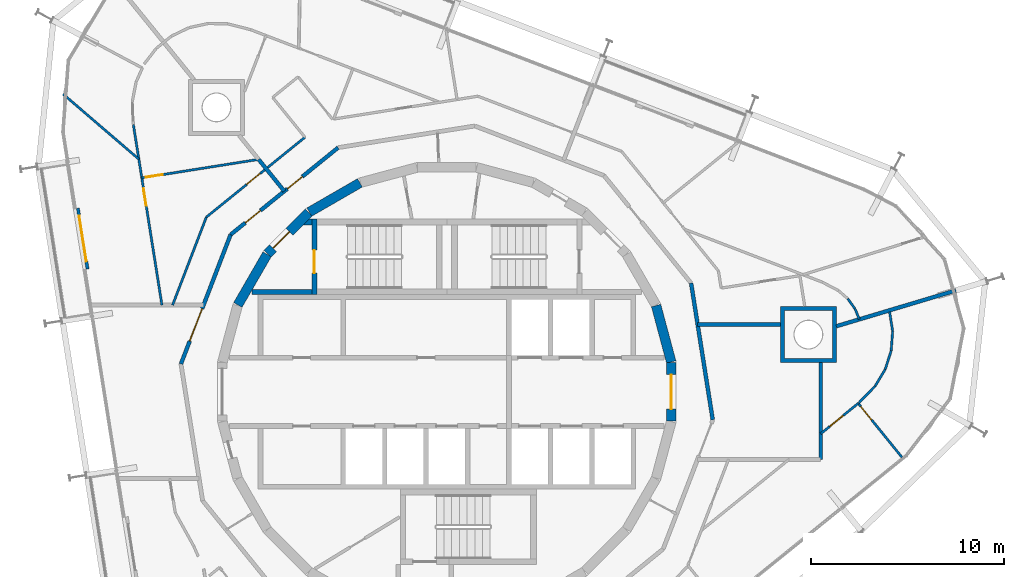
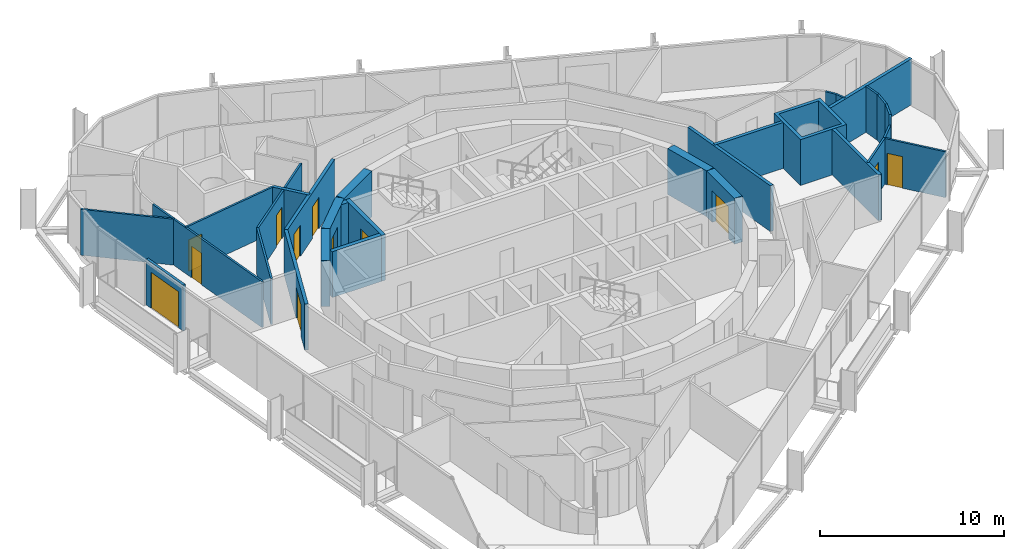
# One storey, part 14 of 17: 31 walls, 12 doors, 12 openings.
"""IFC4 building model written with IfcOpenShell, lengths in metres."""

import ifcopenshell
import ifcopenshell.guid

model = None  # the IFC model being written
_history = None  # IfcOwnerHistory: only IFC2X3 demands one
_inside = {}  # id of a spatial element -> (the spatial element, [elements in it])
_under = {}  # id of a project, library or spatial element -> (it, [spatial elements below it])
_declared = {}  # id of a project -> (the project, [libraries it declares])
_typed = {}  # id of a type object -> (the type object, [elements of that type])
_made_of = {}  # id of a material, layer set ... -> (it, [elements and type objects made of it])


def new_model(schema):
    """Start an empty IFC model of exactly this schema.

    Asked for "IFC4X3", IfcOpenShell would pick the latest addendum, in which some entities
    have other attributes; the version numbers below select the first issue.
    IFC2X3 requires an IfcOwnerHistory on every rooted entity: one is made here for all.
    """
    global model, _history
    if schema == "IFC4X3":
        model = ifcopenshell.file(schema_version=(4, 3, 0, 0))
    else:
        model = ifcopenshell.file(schema=schema)
    _inside.clear()
    _under.clear()
    _declared.clear()
    _typed.clear()
    _made_of.clear()
    _history = None
    if model.schema == "IFC2X3":
        org = make("IfcOrganization", Name="unknown")
        user = make(
            "IfcPersonAndOrganization",
            ThePerson=make("IfcPerson", FamilyName="unknown"),
            TheOrganization=org,
        )
        app = make(
            "IfcApplication",
            ApplicationDeveloper=org,
            Version="unknown",
            ApplicationFullName="unknown",
            ApplicationIdentifier="unknown",
        )
        _history = make(
            "IfcOwnerHistory",
            OwningUser=user,
            OwningApplication=app,
            ChangeAction="ADDED",
            CreationDate=0,
        )
    return model


def make(cls, **values):
    """One entity of the class cls with the attributes given. An attribute that is None is left unset."""
    return model.create_entity(
        cls, **{name: value for name, value in values.items() if value is not None}
    )


def rooted(cls, **values):
    """An entity with a GlobalId (a new one), such as an element, a storey or a relation."""
    return make(cls, GlobalId=ifcopenshell.guid.new(), OwnerHistory=_history, **values)


def si_unit(unit_type, name, prefix=None):
    """IfcSIUnit, for example si_unit("LENGTHUNIT", "METRE", prefix="MILLI")."""
    return make("IfcSIUnit", UnitType=unit_type, Prefix=prefix, Name=name)


def assignment(units):
    """IfcUnitAssignment: the units of a project."""
    return None if units is None else make("IfcUnitAssignment", Units=units)


def point(xyz):
    """IfcCartesianPoint."""
    return None if xyz is None else make("IfcCartesianPoint", Coordinates=xyz)


def direction(xyz):
    """IfcDirection."""
    return None if xyz is None else make("IfcDirection", DirectionRatios=xyz)


def frame(location, z_axis=None, x_axis=None):
    """IfcAxis2Placement3D, a coordinate frame: its origin and axes. An axis left out is left unset."""
    return make(
        "IfcAxis2Placement3D",
        Location=point(location),
        Axis=direction(z_axis),
        RefDirection=direction(x_axis),
    )


def frame_2d(location, x_axis=None):
    """IfcAxis2Placement2D, a coordinate frame in the plane: its origin and x axis."""
    return make(
        "IfcAxis2Placement2D", Location=point(location), RefDirection=direction(x_axis)
    )


def origin():
    """The frame at (0, 0, 0) with its axes left unset."""
    return frame((0.0, 0.0, 0.0))


def place(relative_to, where):
    """IfcLocalPlacement: puts the frame where relative to a parent placement (None: the world)."""
    return make(
        "IfcLocalPlacement", PlacementRelTo=relative_to, RelativePlacement=where
    )


def context(
    kind, dimensions, precision=None, world=None, true_north=None, identifier=None
):
    """IfcGeometricRepresentationContext, for example the 3D "Model" context."""
    return make(
        "IfcGeometricRepresentationContext",
        ContextIdentifier=identifier,
        ContextType=kind,
        CoordinateSpaceDimension=dimensions,
        Precision=precision,
        WorldCoordinateSystem=world,
        TrueNorth=true_north,
    )


def subcontext(parent, identifier, kind, view, scale=None):
    """IfcGeometricRepresentationSubContext, for example "Body" below "Model"."""
    return make(
        "IfcGeometricRepresentationSubContext",
        ContextIdentifier=identifier,
        ContextType=kind,
        ParentContext=parent,
        TargetScale=scale,
        TargetView=view,
    )


def project(units=None, contexts=None):
    """IfcProject with its units and contexts."""
    return rooted(
        "IfcProject",
        Name="project",
        RepresentationContexts=contexts,
        UnitsInContext=assignment(units),
    )


def spatial(cls, under=None, at=None, **own):
    """A site, building, storey or space (cls), placed at a placement, below another one or the project."""
    s = rooted(cls, ObjectPlacement=at, **own)
    if under is not None:
        _under.setdefault(under.id(), (under, []))[1].append(s)
    return s


def polyline(points):
    """IfcPolyline through the points."""
    return make("IfcPolyline", Points=[point(p) for p in points])


def profile(cls, at=None, kind="AREA", **sizes):
    """A parametric profile (cls). Its sizes go by their IFC names, for example OverallWidth=200.0."""
    return make(cls, ProfileType=kind, Position=at, **sizes)


def rectangle(**sizes):
    """IfcRectangleProfileDef."""
    return profile("IfcRectangleProfileDef", **sizes)


def outline(outer, holes=None, kind="AREA"):
    """IfcArbitraryClosedProfileDef: a profile drawn as a closed curve; with holes, ...WithVoids."""
    if holes is None:
        return make("IfcArbitraryClosedProfileDef", ProfileType=kind, OuterCurve=outer)
    return make(
        "IfcArbitraryProfileDefWithVoids",
        ProfileType=kind,
        OuterCurve=outer,
        InnerCurves=holes,
    )


def extrude(swept, where, along, depth):
    """IfcExtrudedAreaSolid: the profile swept, set in the frame where, extruded along a direction by depth."""
    return make(
        "IfcExtrudedAreaSolid",
        SweptArea=swept,
        Position=where,
        ExtrudedDirection=direction(along),
        Depth=depth,
    )


def shape(context_of_items, identifier, shape_type, items):
    """IfcShapeRepresentation: the items that make up one representation, for example the "Body"."""
    return make(
        "IfcShapeRepresentation",
        ContextOfItems=context_of_items,
        RepresentationIdentifier=identifier,
        RepresentationType=shape_type,
        Items=items,
    )


def material(Name=None, Category=None):
    """IfcMaterial."""
    return make("IfcMaterial", Name=Name, Category=Category)


def layer(
    of_material, thickness, ventilated=None, Name=None, Category=None, Priority=None
):
    """IfcMaterialLayer: one layer of a wall or slab, of a material (None: an air gap)."""
    return make(
        "IfcMaterialLayer",
        Material=of_material,
        LayerThickness=thickness,
        IsVentilated=ventilated,
        Name=Name,
        Category=Category,
        Priority=Priority,
    )


def layer_set(layers, Name=None):
    """IfcMaterialLayerSet."""
    return make("IfcMaterialLayerSet", MaterialLayers=layers, LayerSetName=Name)


def made_of(thing, what):
    """Note that an element or type object is made of a material, layer set ...; save() writes the relation."""
    if what is not None:
        _made_of.setdefault(what.id(), (what, []))[1].append(thing)
    return thing


def type_object(cls, material=None, **own):
    """A type object (cls), such as IfcWallType, which elements share."""
    return made_of(rooted(cls, **own), material)


def element(
    cls,
    number,
    at=None,
    inside=None,
    cuts=None,
    type_object=None,
    material=None,
    context=None,
    identifier="Body",
    shape_type=None,
    held_by="IfcProductDefinitionShape",
    body=None,
    shapes=None,
    **own,
):
    """One element of the class cls, such as IfcWall. Its Tag is "e" and its number.

    at: its placement. inside: the storey or other place that contains it. cuts: it is an
    opening in that element (IfcRelVoidsElement). A single representation is given by context,
    identifier, shape_type and body (its items); several are given by shapes. held_by: the class
    of the entity that holds the representations. save() writes the other relations.
    """
    e = rooted(cls, Tag="e%d" % number, ObjectPlacement=at, **own)
    if body is not None:
        shapes = [shape(context, identifier, shape_type, body)]
    if shapes is not None:
        e.Representation = make(held_by, Representations=shapes)
    if inside is not None:
        _inside.setdefault(inside.id(), (inside, []))[1].append(e)
    if cuts is not None:
        rooted(
            "IfcRelVoidsElement", RelatingBuildingElement=cuts, RelatedOpeningElement=e
        )
    if type_object is not None:
        _typed.setdefault(type_object.id(), (type_object, []))[1].append(e)
    return made_of(e, material)


def fill(opening, filler):
    """IfcRelFillsElement: the door or window that sits in an opening."""
    return rooted(
        "IfcRelFillsElement",
        RelatingOpeningElement=opening,
        RelatedBuildingElement=filler,
    )


def aggregate(whole, parts):
    """IfcRelAggregates: a whole, such as a stair, and the parts it consists of."""
    return rooted("IfcRelAggregates", RelatingObject=whole, RelatedObjects=parts)


def save(model, path):
    """Write the relations noted so far, then the file.

    IfcRelAggregates (storeys below a building ...), IfcRelContainedInSpatialStructure (elements
    in a storey), IfcRelDefinesByType, IfcRelAssociatesMaterial and IfcRelDeclares: one each for
    every whole, place, type object, material and project.
    """
    for whole, parts in _under.values():
        aggregate(whole, parts)
    for where, things in _inside.values():
        rooted(
            "IfcRelContainedInSpatialStructure",
            RelatedElements=things,
            RelatingStructure=where,
        )
    for kind, things in _typed.values():
        rooted("IfcRelDefinesByType", RelatedObjects=things, RelatingType=kind)
    for what, things in _made_of.values():
        rooted("IfcRelAssociatesMaterial", RelatedObjects=things, RelatingMaterial=what)
    for by, libraries in _declared.values():
        rooted("IfcRelDeclares", RelatingContext=by, RelatedDefinitions=libraries)
    model.write(path)


model = new_model("IFC4")

# Units and contexts
model_context = context("Model", 3, precision=1e-05, world=origin(), true_north=direction((0.0, 1.0)))
body_context = subcontext(model_context, "Body", "Model", "MODEL_VIEW")
ifc_project = project(units=[si_unit("LENGTHUNIT", "METRE"), si_unit("AREAUNIT", "SQUARE_METRE"), si_unit("VOLUMEUNIT", "CUBIC_METRE"), si_unit("PLANEANGLEUNIT", "RADIAN"), si_unit("MASSUNIT", "GRAM", prefix="KILO")], contexts=[model_context])

# Site, building, storey
site_placement = place(None, origin())
site = spatial("IfcSite", under=ifc_project, at=site_placement, CompositionType="ELEMENT")
building_placement = place(site_placement, origin())
building = spatial("IfcBuilding", under=site, at=building_placement, Name="Spindle Arch Residences", CompositionType="ELEMENT")
storey_placement = place(building_placement, frame((0.0, 0.0, 287.89990234375)))
storey = spatial("IfcBuildingStorey", under=building, at=storey_placement, Name="L74", CompositionType="ELEMENT", Elevation=287.89990234375)

# Wall, opening, door
ifc_material_1 = material(Name="Concrete C50/60", Category="concrete")
ifc_layer_1 = layer(ifc_material_1, 0.5)
ifc_layer_set_1 = layer_set([ifc_layer_1], Name="Core outline wall 500")
wall_type_1 = type_object("IfcWallType", Name="Core outline wall 500", PredefinedType="SHEAR", material=ifc_layer_set_1)
wall_1_placement = place(storey_placement, frame((11.647216796875, -1.516357421875, 0.0), z_axis=(0.0, 0.0, 1.0), x_axis=(0.0, 1.0, 0.0)))
wall_1 = element("IfcWall", 1, at=wall_1_placement, inside=storey, type_object=wall_type_1, Name="Core outline wall 6", PredefinedType="SHEAR", context=body_context, shape_type="SweptSolid", body=[
    extrude(rectangle(XDim=3.03271484375, YDim=0.5, at=frame_2d((1.516357421875, 0.0))), origin(), (0.0, 0.0, 1.0), 3.050048828125),
])
opening_1_placement = place(wall_1_placement, frame((0.6162109375, 0.0, 0.0)))
opening_1 = element("IfcOpeningElement", 2, at=opening_1_placement, cuts=wall_1, Name="Opening R7C1-FE01", PredefinedType="OPENING", context=body_context, shape_type="SweptSolid", body=[
    extrude(rectangle(XDim=1.800048828125, YDim=2.10009765625, at=frame_2d((0.89990234375, 1.050048828125))), frame((0.0, 0.260009765625, 0.0), z_axis=(0.0, -1.0, 0.0), x_axis=(1.0, 0.0, 0.0)), (0.0, 0.0, 1.0), 0.52001953125),
])
ifc_material_2 = material(Name="Steel, fire-resisting door", Category="steel")
door_type_1 = type_object("IfcDoorType", Name="Fire-lift lobby door 1800x2100", OperationType="DOUBLE_DOOR_SINGLE_SWING", PredefinedType="DOOR", material=ifc_material_2)
door_1_placement = place(opening_1_placement, origin())
door_1 = element("IfcDoor", 3, at=door_1_placement, inside=storey, type_object=door_type_1, Name="Fire-lift lobby door R7C1-FE01", OperationType="DOUBLE_DOOR_SINGLE_SWING", OverallHeight=2.10009765625, OverallWidth=1.800048828125, PredefinedType="DOOR", context=body_context, shape_type="SweptSolid", body=[
    extrude(rectangle(XDim=1.800048828125, YDim=2.10009765625, at=frame_2d((0.89990234375, 1.050048828125))), frame((0.0, 0.02490234375, 0.0), z_axis=(0.0, -1.0, 0.0), x_axis=(1.0, 0.0, 0.0)), (0.0, 0.0, 1.0), 0.050048828125),
])
fill(opening_1, door_1)

# Walls
for number, where, z_axis, x_axis, name in (
    (4, (11.642822265625, 1.5498046875, 0.0), (0.0, 0.0, 1.0), (-0.258734743916, 0.965948410781, 0.0), "Core outline wall 7"),
    (5, (-4.510498046875, 10.84521484375, 0.0), (0.0, 0.0, 1.0), (-0.865975092491, -0.500087131594, 0.0), "Core outline wall 14"),
):
    element("IfcWall", number, at=place(storey_placement, frame(where, z_axis=z_axis, x_axis=x_axis)), inside=storey, type_object=wall_type_1, Name=name, PredefinedType="SHEAR", context=body_context, shape_type="SweptSolid", body=[
        extrude(rectangle(XDim=3.03271484375, YDim=0.5, at=frame_2d((1.516357421875, 0.0))), origin(), (0.0, 0.0, 1.0), 3.050048828125),
    ])

# Wall, opening, door
wall_2_placement = place(storey_placement, frame((-7.163818359375, 9.30810546875, 0.0), z_axis=(0.0, 0.0, 1.0), x_axis=(-0.707106781187, -0.707106781187, 0.0)))
wall_2 = element("IfcWall", 6, at=wall_2_placement, inside=storey, type_object=wall_type_1, Name="Core outline wall 15", PredefinedType="SHEAR", context=body_context, shape_type="SweptSolid", body=[
    extrude(rectangle(XDim=3.032470703125, YDim=0.5, at=frame_2d((1.51611328125, 0.0))), origin(), (0.0, 0.0, 1.0), 3.050048828125),
])
opening_2_placement = place(wall_2_placement, frame((1.416259765625, 0.0, 0.0)))
opening_2 = element("IfcOpeningElement", 7, at=opening_2_placement, cuts=wall_2, Name="Opening R7C1-AD02", PredefinedType="OPENING", context=body_context, shape_type="SweptSolid", body=[
    extrude(rectangle(XDim=1.199951171875, YDim=2.10009765625, at=frame_2d((0.60009765625, 1.050048828125))), frame((0.0, 0.260009765625, 0.0), z_axis=(0.0, -1.0, 0.0), x_axis=(1.0, 0.0, 0.0)), (0.0, 0.0, 1.0), 0.52001953125),
])
ifc_material_3 = material(Name="Steel, fire-resisting door", Category="steel")
door_type_2 = type_object("IfcDoorType", Name="Stair airlock door 1200x2100", OperationType="SINGLE_SWING_LEFT", PredefinedType="DOOR", material=ifc_material_3)
door_2_placement = place(opening_2_placement, origin())
door_2 = element("IfcDoor", 8, at=door_2_placement, inside=storey, type_object=door_type_2, Name="Stair airlock door R7C1-AD02", OperationType="SINGLE_SWING_RIGHT", OverallHeight=2.10009765625, OverallWidth=1.199951171875, PredefinedType="DOOR", context=body_context, shape_type="SweptSolid", body=[
    extrude(rectangle(XDim=1.199951171875, YDim=2.10009765625, at=frame_2d((0.60009765625, 1.050048828125))), frame((0.0, 0.02490234375, 0.0), z_axis=(0.0, -1.0, 0.0), x_axis=(1.0, 0.0, 0.0)), (0.0, 0.0, 1.0), 0.050048828125),
])
fill(opening_2, door_2)

# Wall
wall_3_placement = place(storey_placement, frame((-9.32861328125, 7.13671875, 0.0), z_axis=(0.0, 0.0, 1.0), x_axis=(-0.500087131594, -0.865975092491, 0.0)))
element("IfcWall", 9, at=wall_3_placement, inside=storey, type_object=wall_type_1, Name="Core outline wall 16", PredefinedType="SHEAR", context=body_context, shape_type="SweptSolid", body=[
    extrude(rectangle(XDim=3.03271484375, YDim=0.5, at=frame_2d((1.516357421875, 0.0))), origin(), (0.0, 0.0, 1.0), 3.050048828125),
])

# Wall, openings, doors
ifc_material_4 = material(Name="Calcium silicate block, plastered")
ifc_layer_2 = layer(ifc_material_4, 0.199951171875)
ifc_layer_set_2 = layer_set([ifc_layer_2], Name="Corridor wall 200")
wall_type_2 = type_object("IfcWallType", Name="Corridor wall 200", PredefinedType="STANDARD", material=ifc_layer_set_2)
wall_4_placement = place(storey_placement, frame((-5.642578125, 12.67333984375, 0.0), z_axis=(0.0, 0.0, 1.0), x_axis=(-0.777160148113, -0.629302871585, 0.0)))
wall_4 = element("IfcWall", 10, at=wall_4_placement, inside=storey, type_object=wall_type_2, Name="Corridor wall R7C1-W011", PredefinedType="STANDARD", context=body_context, shape_type="SweptSolid", body=[
    extrude(rectangle(XDim=7.180908203125, YDim=0.199951171875, at=frame_2d((3.59033203125, 0.0))), origin(), (0.0, 0.0, 1.0), 3.050048828125),
])
opening_3_placement = place(wall_4_placement, frame((2.390380859375, 0.0, 0.0)))
opening_3 = element("IfcOpeningElement", 11, at=opening_3_placement, cuts=wall_4, Name="Opening R7C1-FD02", PredefinedType="OPENING", context=body_context, shape_type="SweptSolid", body=[
    extrude(rectangle(XDim=1.0, YDim=2.10009765625, at=frame_2d((0.5, 1.050048828125))), frame((0.0, 0.10986328125, 0.0), z_axis=(0.0, -1.0, 0.0), x_axis=(1.0, 0.0, 0.0)), (0.0, 0.0, 1.0), 0.219970703125),
])
opening_4_placement = place(wall_4_placement, frame((5.1904296875, 0.0, 0.0)))
opening_4 = element("IfcOpeningElement", 12, at=opening_4_placement, cuts=wall_4, Name="Opening R7C1-FD03", PredefinedType="OPENING", context=body_context, shape_type="SweptSolid", body=[
    extrude(rectangle(XDim=1.0, YDim=2.10009765625, at=frame_2d((0.5, 1.050048828125))), frame((0.0, 0.10986328125, 0.0), z_axis=(0.0, -1.0, 0.0), x_axis=(1.0, 0.0, 0.0)), (0.0, 0.0, 1.0), 0.219970703125),
])
ifc_material_5 = material(Name="Timber, fire-resisting door set", Category="wood")
door_type_3 = type_object("IfcDoorType", Name="Flat entrance door 1000x2100", OperationType="NOTDEFINED", PredefinedType="DOOR", material=ifc_material_5)
door_3_placement = place(opening_3_placement, origin())
door_3 = element("IfcDoor", 13, at=door_3_placement, inside=storey, type_object=door_type_3, Name="Flat entrance door R7C1-FD02", OperationType="SINGLE_SWING_RIGHT", OverallHeight=2.10009765625, OverallWidth=1.0, PredefinedType="DOOR", context=body_context, shape_type="SweptSolid", body=[
    extrude(rectangle(XDim=1.0, YDim=2.10009765625, at=frame_2d((0.5, 1.050048828125))), frame((0.0, 0.02490234375, 0.0), z_axis=(0.0, -1.0, 0.0), x_axis=(1.0, 0.0, 0.0)), (0.0, 0.0, 1.0), 0.050048828125),
])
fill(opening_3, door_3)
door_4_placement = place(opening_4_placement, origin())
door_4 = element("IfcDoor", 14, at=door_4_placement, inside=storey, type_object=door_type_3, Name="Flat entrance door R7C1-FD03", OperationType="SINGLE_SWING_LEFT", OverallHeight=2.10009765625, OverallWidth=1.0, PredefinedType="DOOR", context=body_context, shape_type="SweptSolid", body=[
    extrude(rectangle(XDim=1.0, YDim=2.10009765625, at=frame_2d((0.5, 1.050048828125))), frame((0.0, 0.02490234375, 0.0), z_axis=(0.0, -1.0, 0.0), x_axis=(1.0, 0.0, 0.0)), (0.0, 0.0, 1.0), 0.050048828125),
])
fill(opening_4, door_4)

# Walls
ifc_material_6 = material(Name="Calcium silicate block, plastered")
ifc_layer_3 = layer(ifc_material_6, 0.199951171875)
ifc_layer_set_3 = layer_set([ifc_layer_3], Name="Fire-lift lobby bay wall 200")
wall_type_3 = type_object("IfcWallType", Name="Fire-lift lobby bay wall 200", PredefinedType="STANDARD", material=ifc_layer_set_3)
wall_5_placement = place(storey_placement, frame((13.796630859375, -1.4501953125, 0.0), z_axis=(0.0, 0.0, 1.0), x_axis=(-0.156421704315, 0.987690361611, 0.0)))
element("IfcWall", 15, at=wall_5_placement, inside=storey, type_object=wall_type_3, Name="Fire-lift lobby bay wall R7C1-W005", PredefinedType="STANDARD", context=body_context, shape_type="SweptSolid", body=[
    extrude(rectangle(XDim=7.18115234375, YDim=0.199951171875, at=frame_2d((3.590576171875, 0.0))), origin(), (0.0, 0.0, 1.0), 3.050048828125),
])
wall_6_placement = place(storey_placement, frame((17.309326171875, 3.5, 0.0), z_axis=(0.0, 0.0, 1.0), x_axis=(-1.0, 0.0, 0.0)))
element("IfcWall", 16, at=wall_6_placement, inside=storey, type_object=wall_type_3, Name="Fire-lift lobby bay wall R7C1-W018", PredefinedType="STANDARD", context=body_context, shape_type="SweptSolid", body=[
    extrude(rectangle(XDim=4.296630859375, YDim=0.199951171875, at=frame_2d((2.1484375, 0.0))), origin(), (0.0, 0.0, 1.0), 3.050048828125),
])
wall_7_placement = place(storey_placement, frame((19.39990234375, -3.5, 0.0), z_axis=(0.0, 0.0, 1.0), x_axis=(0.0, 1.0, 0.0)))
element("IfcWall", 17, at=wall_7_placement, inside=storey, type_object=wall_type_3, Name="Fire-lift lobby bay wall R7C1-W020", PredefinedType="STANDARD", context=body_context, shape_type="SweptSolid", body=[
    extrude(rectangle(XDim=5.021240234375, YDim=0.199951171875, at=frame_2d((2.5107421875, 0.0))), origin(), (0.0, 0.0, 1.0), 3.050048828125),
])
ifc_material_7 = material(Name="Plasterboard on steel studs", Category="steel")
ifc_layer_4 = layer(ifc_material_7, 0.1201171875)
ifc_layer_set_4 = layer_set([ifc_layer_4], Name="Flat partition 120")
wall_type_4 = type_object("IfcWallType", Name="Flat partition 120", PredefinedType="PARTITIONING", material=ifc_layer_set_4)
wall_8_placement = place(storey_placement, frame((20.802978515625, 4.8330078125, 0.0), z_axis=(0.0, 0.0, 1.0), x_axis=(0.583322588112, -0.812240579014, 0.0)))
element("IfcWall", 18, at=wall_8_placement, inside=storey, type_object=wall_type_4, Name="Flat partition R7C1-W039", PredefinedType="PARTITIONING", context=body_context, shape_type="SweptSolid", body=[
    extrude(rectangle(XDim=0.64208984375, YDim=0.1201171875, at=frame_2d((0.321044921875, 0.0))), origin(), (0.0, 0.0, 1.0), 3.050048828125),
])
wall_9_placement = place(storey_placement, frame((21.177490234375, 4.3115234375, 0.0), z_axis=(0.0, 0.0, 1.0), x_axis=(0.379673715705, -0.925120462212, 0.0)))
element("IfcWall", 19, at=wall_9_placement, inside=storey, type_object=wall_type_4, Name="Flat partition R7C1-W040", PredefinedType="PARTITIONING", context=body_context, shape_type="SweptSolid", body=[
    extrude(rectangle(XDim=0.593505859375, YDim=0.1201171875, at=frame_2d((0.296875, 0.0))), origin(), (0.0, 0.0, 1.0), 3.050048828125),
])

# Wall, opening, door
wall_10_placement = place(storey_placement, frame((-7.363037109375, 13.210205078125, 0.0), z_axis=(0.0, 0.0, 1.0), x_axis=(-0.777139504663, -0.629328364443, 0.0)))
wall_10 = element("IfcWall", 20, at=wall_10_placement, inside=storey, type_object=wall_type_4, Name="Flat partition R7C1-W047", PredefinedType="PARTITIONING", context=body_context, shape_type="SweptSolid", body=[
    extrude(rectangle(XDim=6.583740234375, YDim=0.1201171875, at=frame_2d((3.2919921875, 0.0))), origin(), (0.0, 0.0, 1.0), 3.050048828125),
])
opening_5_placement = place(wall_10_placement, frame((2.9912109375, 0.0, 0.0)))
opening_5 = element("IfcOpeningElement", 21, at=opening_5_placement, cuts=wall_10, Name="Opening R7C1-ID09", PredefinedType="OPENING", context=body_context, shape_type="SweptSolid", body=[
    extrude(rectangle(XDim=0.89990234375, YDim=2.10009765625, at=frame_2d((0.449951171875, 1.050048828125))), frame((0.0, 0.070068359375, 0.0), z_axis=(0.0, -1.0, 0.0), x_axis=(1.0, 0.0, 0.0)), (0.0, 0.0, 1.0), 0.14013671875),
])
ifc_material_8 = material(Name="Timber door set", Category="wood")
door_type_4 = type_object("IfcDoorType", Name="Room door 900x2100", OperationType="NOTDEFINED", PredefinedType="DOOR", material=ifc_material_8)
door_5_placement = place(opening_5_placement, origin())
door_5 = element("IfcDoor", 22, at=door_5_placement, inside=storey, type_object=door_type_4, Name="Room door R7C1-ID09", OperationType="SINGLE_SWING_LEFT", OverallHeight=2.10009765625, OverallWidth=0.89990234375, PredefinedType="DOOR", context=body_context, shape_type="SweptSolid", body=[
    extrude(rectangle(XDim=0.89990234375, YDim=2.10009765625, at=frame_2d((0.449951171875, 1.050048828125))), frame((0.0, 0.02490234375, 0.0), z_axis=(0.0, -1.0, 0.0), x_axis=(1.0, 0.0, 0.0)), (0.0, 0.0, 1.0), 0.050048828125),
])
fill(opening_5, door_5)

# Wall
wall_11_placement = place(storey_placement, frame((-12.4794921875, 9.06689453125, 0.0), z_axis=(0.0, 0.0, 1.0), x_axis=(-0.358387060848, -0.933573090131, 0.0)))
element("IfcWall", 23, at=wall_11_placement, inside=storey, type_object=wall_type_4, Name="Flat partition R7C1-W058", PredefinedType="PARTITIONING", context=body_context, shape_type="SweptSolid", body=[
    extrude(rectangle(XDim=4.891845703125, YDim=0.1201171875, at=frame_2d((2.44580078125, 0.0))), origin(), (0.0, 0.0, 1.0), 3.050048828125),
])

# Wall, opening, door
wall_12_placement = place(storey_placement, frame((-16.265869140625, 13.864990234375, 0.0), z_axis=(0.0, 0.0, 1.0), x_axis=(0.156422690833, -0.987690205374, 0.0)))
wall_12 = element("IfcWall", 24, at=wall_12_placement, inside=storey, type_object=wall_type_4, Name="Flat partition R7C1-W064", PredefinedType="PARTITIONING", context=body_context, shape_type="SweptSolid", body=[
    extrude(rectangle(XDim=9.481689453125, YDim=0.1201171875, at=frame_2d((4.74072265625, 0.0))), origin(), (0.0, 0.0, 1.0), 3.050048828125),
])
opening_6_placement = place(wall_12_placement, frame((3.357177734375, 0.0, 0.0)))
opening_6 = element("IfcOpeningElement", 25, at=opening_6_placement, cuts=wall_12, Name="Opening R7C1-ID12", PredefinedType="OPENING", context=body_context, shape_type="SweptSolid", body=[
    extrude(rectangle(XDim=0.89990234375, YDim=2.10009765625, at=frame_2d((0.449951171875, 1.050048828125))), frame((0.0, 0.070068359375, 0.0), z_axis=(0.0, -1.0, 0.0), x_axis=(1.0, 0.0, 0.0)), (0.0, 0.0, 1.0), 0.14013671875),
])
door_6_placement = place(opening_6_placement, origin())
door_6 = element("IfcDoor", 26, at=door_6_placement, inside=storey, type_object=door_type_4, Name="Room door R7C1-ID12", OperationType="SINGLE_SWING_LEFT", OverallHeight=2.10009765625, OverallWidth=0.89990234375, PredefinedType="DOOR", context=body_context, shape_type="SweptSolid", body=[
    extrude(rectangle(XDim=0.89990234375, YDim=2.10009765625, at=frame_2d((0.449951171875, 1.050048828125))), frame((0.0, 0.02490234375, 0.0), z_axis=(0.0, -1.0, 0.0), x_axis=(1.0, 0.0, 0.0)), (0.0, 0.0, 1.0), 0.050048828125),
])
fill(opening_6, door_6)

wall_13_placement = place(storey_placement, frame((-15.828125, 11.102294921875, 0.0), z_axis=(0.0, 0.0, 1.0), x_axis=(0.98768671358, 0.156444737262, 0.0)))
wall_13 = element("IfcWall", 27, at=wall_13_placement, inside=storey, type_object=wall_type_4, Name="Flat partition R7C1-W065", PredefinedType="PARTITIONING", context=body_context, shape_type="SweptSolid", body=[
    extrude(rectangle(XDim=6.135986328125, YDim=0.1201171875, at=frame_2d((3.06787109375, 0.0))), origin(), (0.0, 0.0, 1.0), 3.050048828125),
])
opening_7_placement = place(wall_13_placement, frame((0.199951171875, 0.0, 0.0)))
opening_7 = element("IfcOpeningElement", 28, at=opening_7_placement, cuts=wall_13, Name="Opening R7C1-ID10", PredefinedType="OPENING", context=body_context, shape_type="SweptSolid", body=[
    extrude(rectangle(XDim=0.89990234375, YDim=2.10009765625, at=frame_2d((0.449951171875, 1.050048828125))), frame((0.0, 0.070068359375, 0.0), z_axis=(0.0, -1.0, 0.0), x_axis=(1.0, 0.0, 0.0)), (0.0, 0.0, 1.0), 0.14013671875),
])
door_7_placement = place(opening_7_placement, origin())
door_7 = element("IfcDoor", 29, at=door_7_placement, inside=storey, type_object=door_type_4, Name="Room door R7C1-ID10", OperationType="SINGLE_SWING_LEFT", OverallHeight=2.10009765625, OverallWidth=0.89990234375, PredefinedType="DOOR", context=body_context, shape_type="SweptSolid", body=[
    extrude(rectangle(XDim=0.89990234375, YDim=2.10009765625, at=frame_2d((0.449951171875, 1.050048828125))), frame((0.0, 0.02490234375, 0.0), z_axis=(0.0, -1.0, 0.0), x_axis=(1.0, 0.0, 0.0)), (0.0, 0.0, 1.0), 0.050048828125),
])
fill(opening_7, door_7)

# Walls
wall_14_placement = place(storey_placement, frame((-19.9130859375, 15.450927734375, 0.0), z_axis=(0.0, 0.0, 1.0), x_axis=(0.758627615547, -0.651524474544, 0.0)))
element("IfcWall", 30, at=wall_14_placement, inside=storey, type_object=wall_type_4, Name="Flat partition R7C1-W066", PredefinedType="PARTITIONING", context=body_context, shape_type="SweptSolid", body=[
    extrude(rectangle(XDim=5.181396484375, YDim=0.1201171875, at=frame_2d((2.5908203125, 0.0))), origin(), (0.0, 0.0, 1.0), 3.050048828125),
])
wall_15_placement = place(storey_placement, frame((22.972412109375, 4.15283203125, 0.0), z_axis=(0.0, 0.0, 1.0), x_axis=(0.156209385929, -0.987723963336, 0.0)))
element("IfcWall", 31, at=wall_15_placement, inside=storey, type_object=wall_type_4, Name="Flat partition R7C1-W094", PredefinedType="PARTITIONING", context=body_context, shape_type="SweptSolid", body=[
    extrude(rectangle(XDim=1.015869140625, YDim=0.1201171875, at=frame_2d((0.5078125, 0.0))), origin(), (0.0, 0.0, 1.0), 3.050048828125),
])
wall_16_placement = place(storey_placement, frame((23.131103515625, 3.1494140625, 0.0), z_axis=(0.0, 0.0, 1.0), x_axis=(-0.075446997935, -0.99714981347, 0.0)))
element("IfcWall", 32, at=wall_16_placement, inside=storey, type_object=wall_type_4, Name="Flat partition R7C1-W095", PredefinedType="PARTITIONING", context=body_context, shape_type="SweptSolid", body=[
    extrude(rectangle(XDim=1.01611328125, YDim=0.1201171875, at=frame_2d((0.508056640625, 0.0))), origin(), (0.0, 0.0, 1.0), 3.050048828125),
])
wall_17_placement = place(storey_placement, frame((23.054443359375, 2.13623046875, 0.0), z_axis=(0.0, 0.0, 1.0), x_axis=(-0.303511129679, -0.952827893253, 0.0)))
element("IfcWall", 33, at=wall_17_placement, inside=storey, type_object=wall_type_4, Name="Flat partition R7C1-W096", PredefinedType="PARTITIONING", context=body_context, shape_type="SweptSolid", body=[
    extrude(rectangle(XDim=1.015869140625, YDim=0.1201171875, at=frame_2d((0.5078125, 0.0))), origin(), (0.0, 0.0, 1.0), 3.050048828125),
])
wall_18_placement = place(storey_placement, frame((22.74609375, 1.168212890625, 0.0), z_axis=(0.0, 0.0, 1.0), x_axis=(-0.515096534995, -0.857132171626, 0.0)))
element("IfcWall", 34, at=wall_18_placement, inside=storey, type_object=wall_type_4, Name="Flat partition R7C1-W097", PredefinedType="PARTITIONING", context=body_context, shape_type="SweptSolid", body=[
    extrude(rectangle(XDim=1.015625, YDim=0.1201171875, at=frame_2d((0.5078125, 0.0))), origin(), (0.0, 0.0, 1.0), 3.050048828125),
])
wall_19_placement = place(storey_placement, frame((22.222900390625, 0.297607421875, 0.0), z_axis=(0.0, 0.0, 1.0), x_axis=(-0.69880109182, -0.715316037896, 0.0)))
element("IfcWall", 35, at=wall_19_placement, inside=storey, type_object=wall_type_4, Name="Flat partition R7C1-W098", PredefinedType="PARTITIONING", context=body_context, shape_type="SweptSolid", body=[
    extrude(rectangle(XDim=1.22705078125, YDim=0.1201171875, at=frame_2d((0.613525390625, 0.0))), origin(), (0.0, 0.0, 1.0), 3.050048828125),
])

# Wall, opening, door
wall_20_placement = place(storey_placement, frame((21.346923828125, -0.59521484375, 0.0), z_axis=(0.0, 0.0, 1.0), x_axis=(0.62934843781, -0.7771232488, 0.0)))
wall_20 = element("IfcWall", 36, at=wall_20_placement, inside=storey, type_object=wall_type_4, Name="Flat partition R7C1-W099", PredefinedType="PARTITIONING", context=body_context, shape_type="SweptSolid", body=[
    extrude(rectangle(XDim=3.599853515625, YDim=0.1201171875, at=frame_2d((1.7998046875, 0.0))), origin(), (0.0, 0.0, 1.0), 3.050048828125),
])
opening_8_placement = place(wall_20_placement, frame((0.199951171875, 0.0, 0.0)))
opening_8 = element("IfcOpeningElement", 37, at=opening_8_placement, cuts=wall_20, Name="Opening R7C1-ID23", PredefinedType="OPENING", context=body_context, shape_type="SweptSolid", body=[
    extrude(rectangle(XDim=0.89990234375, YDim=2.10009765625, at=frame_2d((0.449951171875, 1.050048828125))), frame((0.0, 0.070068359375, 0.0), z_axis=(0.0, -1.0, 0.0), x_axis=(1.0, 0.0, 0.0)), (0.0, 0.0, 1.0), 0.14013671875),
])
door_8_placement = place(opening_8_placement, origin())
door_8 = element("IfcDoor", 38, at=door_8_placement, inside=storey, type_object=door_type_4, Name="Room door R7C1-ID23", OperationType="SINGLE_SWING_RIGHT", OverallHeight=2.10009765625, OverallWidth=0.89990234375, PredefinedType="DOOR", context=body_context, shape_type="SweptSolid", body=[
    extrude(rectangle(XDim=0.89990234375, YDim=2.10009765625, at=frame_2d((0.449951171875, 1.050048828125))), frame((0.0, 0.02490234375, 0.0), z_axis=(0.0, -1.0, 0.0), x_axis=(1.0, 0.0, 0.0)), (0.0, 0.0, 1.0), 0.050048828125),
])
fill(opening_8, door_8)

wall_21_placement = place(storey_placement, frame((19.39990234375, -2.171875, 0.0), z_axis=(0.0, 0.0, 1.0), x_axis=(0.777147279935, 0.629318762862, 0.0)))
wall_21 = element("IfcWall", 39, at=wall_21_placement, inside=storey, type_object=wall_type_4, Name="Flat partition R7C1-W100", PredefinedType="PARTITIONING", context=body_context, shape_type="SweptSolid", body=[
    extrude(rectangle(XDim=2.50537109375, YDim=0.1201171875, at=frame_2d((1.252685546875, 0.0))), origin(), (0.0, 0.0, 1.0), 3.050048828125),
])
opening_9_placement = place(wall_21_placement, frame((0.60009765625, 0.0, 0.0)))
opening_9 = element("IfcOpeningElement", 40, at=opening_9_placement, cuts=wall_21, Name="Opening R7C1-ID24", PredefinedType="OPENING", context=body_context, shape_type="SweptSolid", body=[
    extrude(rectangle(XDim=0.89990234375, YDim=2.10009765625, at=frame_2d((0.449951171875, 1.050048828125))), frame((0.0, 0.070068359375, 0.0), z_axis=(0.0, -1.0, 0.0), x_axis=(1.0, 0.0, 0.0)), (0.0, 0.0, 1.0), 0.14013671875),
])
door_9_placement = place(opening_9_placement, origin())
door_9 = element("IfcDoor", 41, at=door_9_placement, inside=storey, type_object=door_type_4, Name="Room door R7C1-ID24", OperationType="SINGLE_SWING_LEFT", OverallHeight=2.10009765625, OverallWidth=0.89990234375, PredefinedType="DOOR", context=body_context, shape_type="SweptSolid", body=[
    extrude(rectangle(XDim=0.89990234375, YDim=2.10009765625, at=frame_2d((0.449951171875, 1.050048828125))), frame((0.0, 0.02490234375, 0.0), z_axis=(0.0, -1.0, 0.0), x_axis=(1.0, 0.0, 0.0)), (0.0, 0.0, 1.0), 0.050048828125),
])
fill(opening_9, door_9)

# Walls
ifc_material_9 = material(Name="Calcium silicate block, plastered")
ifc_layer_5 = layer(ifc_material_9, 0.199951171875)
ifc_layer_set_5 = layer_set([ifc_layer_5], Name="Flat party wall 200")
wall_type_5 = type_object("IfcWallType", Name="Flat party wall 200", PredefinedType="STANDARD", material=ifc_layer_set_5)
wall_22_placement = place(storey_placement, frame((20.20947265625, 3.4052734375, 0.0), z_axis=(0.0, 0.0, 1.0), x_axis=(0.957991224208, 0.286797514529, 0.0)))
element("IfcWall", 42, at=wall_22_placement, inside=storey, type_object=wall_type_5, Name="Flat party wall R7C1-W023", PredefinedType="STANDARD", context=body_context, shape_type="SweptSolid", body=[
    extrude(rectangle(XDim=6.471435546875, YDim=0.199951171875, at=frame_2d((3.23583984375, 0.0))), origin(), (0.0, 0.0, 1.0), 3.050048828125),
])
wall_23_placement = place(storey_placement, frame((-9.767578125, 12.062255859375, 0.0), z_axis=(0.0, 0.0, 1.0), x_axis=(0.629274383598, -0.777183215302, 0.0)))
element("IfcWall", 43, at=wall_23_placement, inside=storey, type_object=wall_type_5, Name="Flat party wall R7C1-W024", PredefinedType="STANDARD", context=body_context, shape_type="SweptSolid", body=[
    extrude(rectangle(XDim=2.12109375, YDim=0.199951171875, at=frame_2d((1.060546875, 0.0))), origin(), (0.0, 0.0, 1.0), 3.050048828125),
])

# Wall, opening, door
ifc_material_10 = material(Name="Non-combustible mineral wool insulated aluminium faced external wall (K0)", Category="aluminium")
ifc_layer_6 = layer(ifc_material_10, 0.159912109375)
ifc_layer_set_6 = layer_set([ifc_layer_6], Name="Insulated external wall panel 160")
wall_type_6 = type_object("IfcWallType", Name="Insulated external wall panel 160", PredefinedType="STANDARD", material=ifc_layer_set_6)
wall_24_placement = place(storey_placement, frame((-19.1435546875, 9.53271484375, 0.0), z_axis=(0.0, 0.0, 1.0), x_axis=(0.156401347891, -0.987693585267, 0.0)))
wall_24 = element("IfcWall", 44, at=wall_24_placement, inside=storey, type_object=wall_type_6, Name="External wall L74 bay 12", PredefinedType="STANDARD", context=body_context, shape_type="SweptSolid", body=[
    extrude(rectangle(XDim=3.199951171875, YDim=0.159912109375, at=frame_2d((1.60009765625, 0.0))), origin(), (0.0, 0.0, 1.0), 3.050048828125),
])
opening_10_placement = place(wall_24_placement, frame((0.39990234375, 0.0, 0.0)))
opening_10 = element("IfcOpeningElement", 45, at=opening_10_placement, cuts=wall_24, Name="Opening BD12", PredefinedType="OPENING", context=body_context, shape_type="SweptSolid", body=[
    extrude(rectangle(XDim=2.39990234375, YDim=2.39990234375, at=frame_2d((1.199951171875, 1.199951171875))), frame((0.0, 0.08984375, 0.0), z_axis=(0.0, -1.0, 0.0), x_axis=(1.0, 0.0, 0.0)), (0.0, 0.0, 1.0), 0.179931640625),
])
ifc_material_11 = material(Name="Bronze aluminium frame, tinted double glazing", Category="aluminium")
door_type_5 = type_object("IfcDoorType", Name="Sliding glazed balcony door 2400x2400", OperationType="DOUBLE_DOOR_SLIDING", PredefinedType="DOOR", material=ifc_material_11)
door_10_placement = place(opening_10_placement, origin())
door_10 = element("IfcDoor", 46, at=door_10_placement, inside=storey, type_object=door_type_5, Name="Balcony door BD12", OperationType="DOUBLE_DOOR_SLIDING", OverallHeight=2.39990234375, OverallWidth=2.39990234375, PredefinedType="DOOR", context=body_context, shape_type="SweptSolid", body=[
    extrude(rectangle(XDim=2.39990234375, YDim=2.39990234375, at=frame_2d((1.199951171875, 1.199951171875))), frame((0.0, 0.02490234375, 0.0), z_axis=(0.0, -1.0, 0.0), x_axis=(1.0, 0.0, 0.0)), (0.0, 0.0, 1.0), 0.050048828125),
])
fill(opening_10, door_10)

ifc_material_12 = material(Name="Calcium silicate block, plastered")
ifc_layer_7 = layer(ifc_material_12, 0.199951171875)
ifc_layer_set_7 = layer_set([ifc_layer_7], Name="Lift lobby bay wall 200")
wall_type_7 = type_object("IfcWallType", Name="Lift lobby bay wall 200", PredefinedType="STANDARD", material=ifc_layer_set_7)
wall_25_placement = place(storey_placement, frame((-11.223388671875, 8.154296875, 0.0), z_axis=(0.0, 0.0, 1.0), x_axis=(-0.358341090983, -0.93359073609, 0.0)))
wall_25 = element("IfcWall", 47, at=wall_25_placement, inside=storey, type_object=wall_type_7, Name="Lift lobby bay wall R7C1-W009", PredefinedType="STANDARD", context=body_context, shape_type="SweptSolid", body=[
    extrude(rectangle(XDim=7.180908203125, YDim=0.199951171875, at=frame_2d((3.59033203125, 0.0))), origin(), (0.0, 0.0, 1.0), 3.050048828125),
])
opening_11_placement = place(wall_25_placement, frame((4.1142578125, 0.0, 0.0)))
opening_11 = element("IfcOpeningElement", 48, at=opening_11_placement, cuts=wall_25, Name="Opening R7C1-LB01", PredefinedType="OPENING", context=body_context, shape_type="SweptSolid", body=[
    extrude(rectangle(XDim=1.800048828125, YDim=2.10009765625, at=frame_2d((0.89990234375, 1.050048828125))), frame((0.0, 0.10986328125, 0.0), z_axis=(0.0, -1.0, 0.0), x_axis=(1.0, 0.0, 0.0)), (0.0, 0.0, 1.0), 0.219970703125),
])
ifc_material_13 = material(Name="Steel, fire-resisting door", Category="steel")
door_type_6 = type_object("IfcDoorType", Name="Lift lobby bay door 1800x2100", OperationType="NOTDEFINED", PredefinedType="DOOR", material=ifc_material_13)
door_11_placement = place(opening_11_placement, origin())
door_11 = element("IfcDoor", 49, at=door_11_placement, inside=storey, type_object=door_type_6, Name="Lift lobby bay door R7C1-LB01", OperationType="DOUBLE_DOOR_SINGLE_SWING", OverallHeight=2.10009765625, OverallWidth=1.800048828125, PredefinedType="DOOR", context=body_context, shape_type="SweptSolid", body=[
    extrude(rectangle(XDim=1.800048828125, YDim=2.10009765625, at=frame_2d((0.89990234375, 1.050048828125))), frame((0.0, 0.02490234375, 0.0), z_axis=(0.0, -1.0, 0.0), x_axis=(1.0, 0.0, 0.0)), (0.0, 0.0, 1.0), 0.050048828125),
])
fill(opening_11, door_11)

# Walls
ifc_material_14 = material(Name="Calcium silicate block, plastered")
ifc_layer_8 = layer(ifc_material_14, 0.199951171875)
ifc_layer_set_8 = layer_set([ifc_layer_8], Name="Mega-column casing wall 200")
wall_type_8 = type_object("IfcWallType", Name="Mega-column casing wall 200", PredefinedType="STANDARD", material=ifc_layer_set_8)
wall_26_placement = place(storey_placement, origin())
element("IfcWall", 50, at=wall_26_placement, inside=storey, type_object=wall_type_8, Name="Mega-column casing wall R7C1-WC01", PredefinedType="STANDARD", context=body_context, shape_type="SweptSolid", body=[
    extrude(outline(polyline([(20.20947265625, 4.421142578125), (20.20947265625, 1.521240234375), (17.309326171875, 1.521240234375), (17.309326171875, 4.421142578125), (20.20947265625, 4.421142578125)]), holes=[polyline([(17.509521484375, 1.72119140625), (20.009521484375, 1.72119140625), (20.009521484375, 4.22119140625), (17.509521484375, 4.22119140625), (17.509521484375, 1.72119140625)])]), origin(), (0.0, 0.0, 1.0), 3.050048828125),
])
ifc_material_15 = material(Name="Concrete C40/50", Category="concrete")
ifc_layer_9 = layer(ifc_material_15, 0.25)
ifc_layer_set_9 = layer_set([ifc_layer_9], Name="Stair airlock wall 250")
wall_type_9 = type_object("IfcWallType", Name="Stair airlock wall 250", PredefinedType="SHEAR", material=ifc_layer_set_9)
wall_27_placement = place(storey_placement, frame((-7.0, 5.175048828125, 0.0), z_axis=(0.0, 0.0, 1.0), x_axis=(-1.0, 0.0, 0.0)))
element("IfcWall", 51, at=wall_27_placement, inside=storey, type_object=wall_type_9, Name="Stair ST-2 airlock wall S", PredefinedType="SHEAR", context=body_context, shape_type="SweptSolid", body=[
    extrude(rectangle(XDim=3.10009765625, YDim=0.25, at=frame_2d((1.550048828125, 0.0))), origin(), (0.0, 0.0, 1.0), 3.050048828125),
])
ifc_material_16 = material(Name="Concrete C40/50", Category="concrete")
wall_type_10 = type_object("IfcWallType", Name="Stair airlock wall profile", PredefinedType="SHEAR", material=ifc_material_16)
wall_28_placement = place(storey_placement, origin())
element("IfcWall", 52, at=wall_28_placement, inside=storey, type_object=wall_type_10, Name="Stair ST-2 airlock wall N", PredefinedType="SHEAR", context=body_context, shape_type="SweptSolid", body=[
    extrude(outline(polyline([(-7.148193359375, 8.969970703125), (-7.0, 8.969970703125), (-7.0, 8.669921875), (-7.4482421875, 8.669921875), (-7.148193359375, 8.969970703125)])), origin(), (0.0, 0.0, 1.0), 3.050048828125),
])

# Wall, opening, door
ifc_material_17 = material(Name="Concrete C50/60", Category="concrete")
ifc_layer_10 = layer(ifc_material_17, 0.25)
ifc_layer_set_10 = layer_set([ifc_layer_10], Name="Stair enclosure wall 250")
wall_type_11 = type_object("IfcWallType", Name="Stair enclosure wall 250", PredefinedType="SHEAR", material=ifc_layer_set_10)
wall_29_placement = place(storey_placement, frame((-6.875, 8.969970703125, 0.0), z_axis=(0.0, 0.0, 1.0), x_axis=(0.0, -1.0, 0.0)))
wall_29 = element("IfcWall", 53, at=wall_29_placement, inside=storey, type_object=wall_type_11, Name="Stair ST-2 door wall", PredefinedType="SHEAR", context=body_context, shape_type="SweptSolid", body=[
    extrude(rectangle(XDim=3.919921875, YDim=0.25, at=frame_2d((1.9599609375, 0.0))), origin(), (0.0, 0.0, 1.0), 3.050048828125),
])
opening_12_placement = place(wall_29_placement, frame((1.610107421875, 0.0, 0.0)))
opening_12 = element("IfcOpeningElement", 54, at=opening_12_placement, cuts=wall_29, Name="Opening R7C1-SD02", PredefinedType="OPENING", context=body_context, shape_type="SweptSolid", body=[
    extrude(rectangle(XDim=1.199951171875, YDim=2.10009765625, at=frame_2d((0.60009765625, 1.050048828125))), frame((0.0, 0.135009765625, 0.0), z_axis=(0.0, -1.0, 0.0), x_axis=(1.0, 0.0, 0.0)), (0.0, 0.0, 1.0), 0.27001953125),
])
ifc_material_18 = material(Name="Steel, fire-resisting door", Category="steel")
door_type_7 = type_object("IfcDoorType", Name="Stair door 1200x2100", OperationType="SINGLE_SWING_RIGHT", PredefinedType="DOOR", material=ifc_material_18)
door_12_placement = place(opening_12_placement, origin())
door_12 = element("IfcDoor", 55, at=door_12_placement, inside=storey, type_object=door_type_7, Name="Stair door R7C1-SD02", OperationType="SINGLE_SWING_LEFT", OverallHeight=2.10009765625, OverallWidth=1.199951171875, PredefinedType="DOOR", context=body_context, shape_type="SweptSolid", body=[
    extrude(rectangle(XDim=1.199951171875, YDim=2.10009765625, at=frame_2d((0.60009765625, 1.050048828125))), frame((0.0, 0.02490234375, 0.0), z_axis=(0.0, -1.0, 0.0), x_axis=(1.0, 0.0, 0.0)), (0.0, 0.0, 1.0), 0.050048828125),
])
fill(opening_12, door_12)

save(model, "model.ifc")
